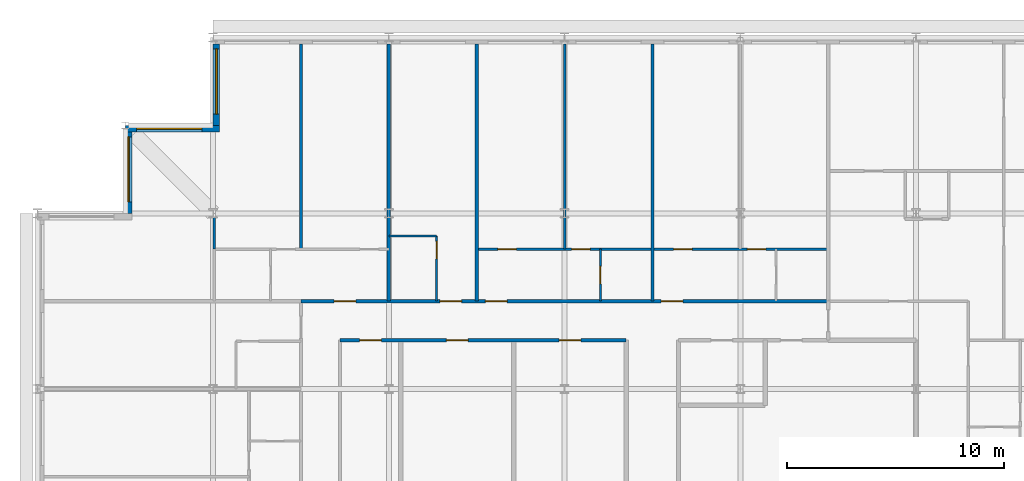
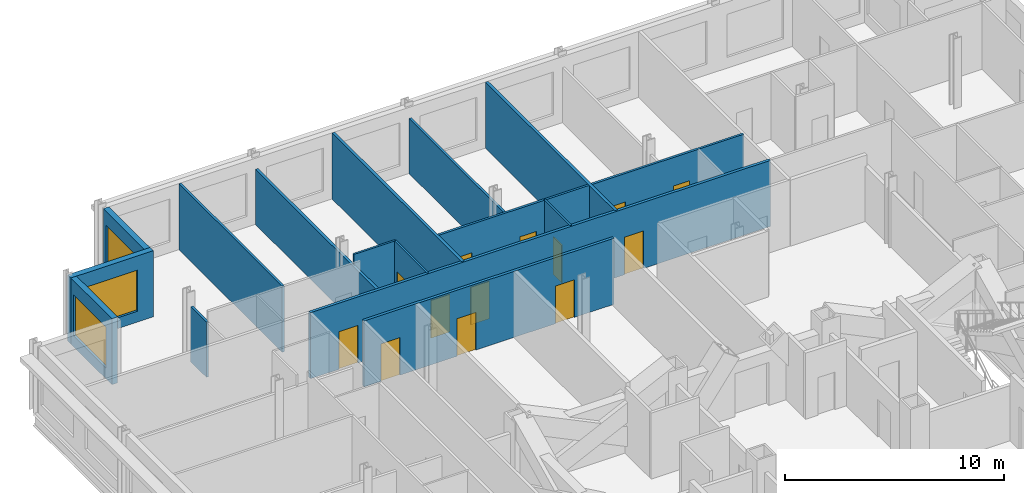
# One storey, part 12 of 15: 15 walls, 13 doors, 3 windows, 16 openings.
"""IFC4 building model written with IfcOpenShell, lengths in metres."""

from ifc_helpers import new_model, si_unit, direction, frame, frame_2d, origin, place, context, subcontext, project, spatial, rectangle, extrude, material, layer, layer_set, type_object, element, fill, save


model = new_model("IFC4")

# Units and contexts
model_context = context("Model", 3, precision=1e-05, world=origin(), true_north=direction((0.0, 1.0)))
body_context = subcontext(model_context, "Body", "Model", "MODEL_VIEW")
ifc_project = project(units=[si_unit("LENGTHUNIT", "METRE"), si_unit("AREAUNIT", "SQUARE_METRE"), si_unit("VOLUMEUNIT", "CUBIC_METRE"), si_unit("PLANEANGLEUNIT", "RADIAN"), si_unit("MASSUNIT", "GRAM", prefix="KILO")], contexts=[model_context])

# Site, building, storey
site_placement = place(None, origin())
site = spatial("IfcSite", under=ifc_project, at=site_placement, CompositionType="ELEMENT")
building_placement = place(site_placement, origin())
building = spatial("IfcBuilding", under=site, at=building_placement, Name="Kopane Lantern Tower", CompositionType="ELEMENT")
storey_placement = place(building_placement, frame((0.0, 0.0, 277.5)))
storey = spatial("IfcBuildingStorey", under=building, at=storey_placement, Name="L71", CompositionType="ELEMENT", Elevation=277.5)

# Wall, openings, doors
ifc_material_1 = material(Name="Gypsum board on steel studs", Category="steel")
ifc_layer_1 = layer(ifc_material_1, 0.1201171875)
ifc_layer_set_1 = layer_set([ifc_layer_1], Name="APARTMENT INTERNAL WALL 120")
wall_type_1 = type_object("IfcWallType", Name="APARTMENT INTERNAL WALL 120", PredefinedType="PARTITIONING", material=ifc_layer_set_1)
wall_1_placement = place(storey_placement, frame((20.25, 55.050048828125, 0.0), z_axis=(0.0, 0.0, 1.0), x_axis=(1.0, 0.0, 0.0)))
wall_1 = element("IfcWall", 1, at=wall_1_placement, inside=storey, type_object=wall_type_1, Name="Apartment Internal Wall 120 L71", PredefinedType="PARTITIONING", context=body_context, shape_type="SweptSolid", body=[
    extrude(rectangle(XDim=16.199951171875, YDim=0.1201171875, at=frame_2d((8.10009765625, 0.0))), origin(), (0.0, 0.0, 1.0), 3.68994140625),
])
opening_1_placement = place(wall_1_placement, frame((0.97509765625, 0.0, 0.0)))
opening_1 = element("IfcOpeningElement", 2, at=opening_1_placement, cuts=wall_1, Name="Opening L71-020", PredefinedType="OPENING", context=body_context, shape_type="SweptSolid", body=[
    extrude(rectangle(XDim=0.85009765625, YDim=2.10009765625, at=frame_2d((0.425048828125, 1.050048828125))), frame((0.0, 0.070068359375, 0.0), z_axis=(0.0, -1.0, 0.0), x_axis=(1.0, 0.0, 0.0)), (0.0, 0.0, 1.0), 0.14013671875),
])
opening_2_placement = place(wall_1_placement, frame((4.375, 0.0, 0.0)))
opening_2 = element("IfcOpeningElement", 3, at=opening_2_placement, cuts=wall_1, Name="Opening L71-021", PredefinedType="OPENING", context=body_context, shape_type="SweptSolid", body=[
    extrude(rectangle(XDim=0.85009765625, YDim=2.10009765625, at=frame_2d((0.425048828125, 1.050048828125))), frame((0.0, 0.070068359375, 0.0), z_axis=(0.0, -1.0, 0.0), x_axis=(1.0, 0.0, 0.0)), (0.0, 0.0, 1.0), 0.14013671875),
])
opening_3_placement = place(wall_1_placement, frame((9.074951171875, 0.0, 0.0)))
opening_3 = element("IfcOpeningElement", 4, at=opening_3_placement, cuts=wall_1, Name="Opening L71-024", PredefinedType="OPENING", context=body_context, shape_type="SweptSolid", body=[
    extrude(rectangle(XDim=0.85009765625, YDim=2.10009765625, at=frame_2d((0.425048828125, 1.050048828125))), frame((0.0, 0.070068359375, 0.0), z_axis=(0.0, -1.0, 0.0), x_axis=(1.0, 0.0, 0.0)), (0.0, 0.0, 1.0), 0.14013671875),
])
opening_4_placement = place(wall_1_placement, frame((12.47509765625, 0.0, 0.0)))
opening_4 = element("IfcOpeningElement", 5, at=opening_4_placement, cuts=wall_1, Name="Opening L71-025", PredefinedType="OPENING", context=body_context, shape_type="SweptSolid", body=[
    extrude(rectangle(XDim=0.85009765625, YDim=2.10009765625, at=frame_2d((0.425048828125, 1.050048828125))), frame((0.0, 0.070068359375, 0.0), z_axis=(0.0, -1.0, 0.0), x_axis=(1.0, 0.0, 0.0)), (0.0, 0.0, 1.0), 0.14013671875),
])
ifc_material_2 = material(Name="Timber door set", Category="wood")
door_type_1 = type_object("IfcDoorType", Name="DOOR D4 850x2100", OperationType="SINGLE_SWING_LEFT", PredefinedType="DOOR", material=ifc_material_2)
door_1_placement = place(opening_1_placement, origin())
door_1 = element("IfcDoor", 6, at=door_1_placement, inside=storey, type_object=door_type_1, Name="Door L71-020", OperationType="SINGLE_SWING_RIGHT", OverallHeight=2.10009765625, OverallWidth=0.85009765625, PredefinedType="DOOR", context=body_context, shape_type="SweptSolid", body=[
    extrude(rectangle(XDim=0.85009765625, YDim=2.10009765625, at=frame_2d((0.425048828125, 1.050048828125))), frame((0.0, 0.02490234375, 0.0), z_axis=(0.0, -1.0, 0.0), x_axis=(1.0, 0.0, 0.0)), (0.0, 0.0, 1.0), 0.050048828125),
])
fill(opening_1, door_1)
door_2_placement = place(opening_2_placement, origin())
door_2 = element("IfcDoor", 7, at=door_2_placement, inside=storey, type_object=door_type_1, Name="Door L71-021", OperationType="SINGLE_SWING_LEFT", OverallHeight=2.10009765625, OverallWidth=0.85009765625, PredefinedType="DOOR", context=body_context, shape_type="SweptSolid", body=[
    extrude(rectangle(XDim=0.85009765625, YDim=2.10009765625, at=frame_2d((0.425048828125, 1.050048828125))), frame((0.0, 0.02490234375, 0.0), z_axis=(0.0, -1.0, 0.0), x_axis=(1.0, 0.0, 0.0)), (0.0, 0.0, 1.0), 0.050048828125),
])
fill(opening_2, door_2)
door_3_placement = place(opening_3_placement, origin())
door_3 = element("IfcDoor", 8, at=door_3_placement, inside=storey, type_object=door_type_1, Name="Door L71-024", OperationType="SINGLE_SWING_RIGHT", OverallHeight=2.10009765625, OverallWidth=0.85009765625, PredefinedType="DOOR", context=body_context, shape_type="SweptSolid", body=[
    extrude(rectangle(XDim=0.85009765625, YDim=2.10009765625, at=frame_2d((0.425048828125, 1.050048828125))), frame((0.0, 0.02490234375, 0.0), z_axis=(0.0, -1.0, 0.0), x_axis=(1.0, 0.0, 0.0)), (0.0, 0.0, 1.0), 0.050048828125),
])
fill(opening_3, door_3)
door_4_placement = place(opening_4_placement, origin())
door_4 = element("IfcDoor", 9, at=door_4_placement, inside=storey, type_object=door_type_1, Name="Door L71-025", OperationType="SINGLE_SWING_LEFT", OverallHeight=2.10009765625, OverallWidth=0.85009765625, PredefinedType="DOOR", context=body_context, shape_type="SweptSolid", body=[
    extrude(rectangle(XDim=0.85009765625, YDim=2.10009765625, at=frame_2d((0.425048828125, 1.050048828125))), frame((0.0, 0.02490234375, 0.0), z_axis=(0.0, -1.0, 0.0), x_axis=(1.0, 0.0, 0.0)), (0.0, 0.0, 1.0), 0.050048828125),
])
fill(opening_4, door_4)

# Walls
wall_2_placement = place(storey_placement, frame((24.300048828125, 55.050048828125, 0.0), z_axis=(0.0, 0.0, 1.0), x_axis=(0.0, 1.0, 0.0)))
element("IfcWall", 10, at=wall_2_placement, inside=storey, type_object=wall_type_1, Name="Apartment Internal Wall 120 L71", PredefinedType="PARTITIONING", context=body_context, shape_type="SweptSolid", body=[
    extrude(rectangle(XDim=9.449951171875, YDim=0.1201171875, at=frame_2d((4.72509765625, 0.0))), origin(), (0.0, 0.0, 1.0), 3.077880859375),
])
wall_3_placement = place(storey_placement, frame((12.14990234375, 55.050048828125, 0.0), z_axis=(0.0, 0.0, 1.0), x_axis=(0.0, 1.0, 0.0)))
element("IfcWall", 11, at=wall_3_placement, inside=storey, type_object=wall_type_1, Name="Apartment Internal Wall 120 L71", PredefinedType="PARTITIONING", context=body_context, shape_type="SweptSolid", body=[
    extrude(rectangle(XDim=9.449951171875, YDim=0.1201171875, at=frame_2d((4.72509765625, 0.0))), origin(), (0.0, 0.0, 1.0), 3.68994140625),
])
wall_4_placement = place(storey_placement, frame((8.14990234375, 55.050048828125, 0.0), z_axis=(0.0, 0.0, 1.0), x_axis=(0.0, 1.0, 0.0)))
element("IfcWall", 12, at=wall_4_placement, inside=storey, type_object=wall_type_1, Name="Apartment Internal Wall 120 L71", PredefinedType="PARTITIONING", context=body_context, shape_type="SweptSolid", body=[
    extrude(rectangle(XDim=1.447021484375, YDim=0.1201171875, at=frame_2d((0.7236328125, 0.0))), origin(), (0.0, 0.0, 1.0), 3.077880859375),
])
ifc_material_3 = material(Name="Moisture-resistant board on steel studs", Category="steel")
ifc_layer_2 = layer(ifc_material_3, 0.10009765625)
ifc_layer_set_2 = layer_set([ifc_layer_2], Name="BATHROOM WALL 100")
wall_type_2 = type_object("IfcWallType", Name="BATHROOM WALL 100", PredefinedType="PARTITIONING", material=ifc_layer_set_2)
wall_5_placement = place(storey_placement, frame((16.199951171875, 55.64990234375, 0.0), z_axis=(0.0, 0.0, 1.0), x_axis=(1.0, 0.0, 0.0)))
element("IfcWall", 13, at=wall_5_placement, inside=storey, type_object=wall_type_2, Name="Bathroom Wall 100 L71", PredefinedType="PARTITIONING", context=body_context, shape_type="SweptSolid", body=[
    extrude(rectangle(XDim=2.199951171875, YDim=0.10009765625, at=frame_2d((1.10009765625, 0.0))), origin(), (0.0, 0.0, 1.0), 3.68994140625),
])

# Wall, opening, door
wall_6_placement = place(storey_placement, frame((18.39990234375, 52.64990234375, 0.0), z_axis=(0.0, 0.0, 1.0), x_axis=(0.0, 1.0, 0.0)))
wall_6 = element("IfcWall", 14, at=wall_6_placement, inside=storey, type_object=wall_type_2, Name="Bathroom Wall 100 L71", PredefinedType="PARTITIONING", context=body_context, shape_type="SweptSolid", body=[
    extrude(rectangle(XDim=3.0, YDim=0.10009765625, at=frame_2d((1.5, 0.0))), origin(), (0.0, 0.0, 1.0), 3.68994140625),
])
opening_5_placement = place(wall_6_placement, frame((1.949951171875, 0.0, 0.0)))
opening_5 = element("IfcOpeningElement", 15, at=opening_5_placement, cuts=wall_6, Name="Opening L71-016", PredefinedType="OPENING", context=body_context, shape_type="SweptSolid", body=[
    extrude(rectangle(XDim=0.800048828125, YDim=2.10009765625, at=frame_2d((0.39990234375, 1.050048828125))), frame((0.0, 0.06005859375, 0.0), z_axis=(0.0, -1.0, 0.0), x_axis=(1.0, 0.0, 0.0)), (0.0, 0.0, 1.0), 0.1201171875),
])
ifc_material_4 = material(Name="Timber door set", Category="wood")
door_type_2 = type_object("IfcDoorType", Name="DOOR D2 800x2100", OperationType="SINGLE_SWING_LEFT", PredefinedType="DOOR", material=ifc_material_4)
door_5_placement = place(opening_5_placement, origin())
door_5 = element("IfcDoor", 16, at=door_5_placement, inside=storey, type_object=door_type_2, Name="Door L71-016", OperationType="SINGLE_SWING_RIGHT", OverallHeight=2.10009765625, OverallWidth=0.800048828125, PredefinedType="DOOR", context=body_context, shape_type="SweptSolid", body=[
    extrude(rectangle(XDim=0.800048828125, YDim=2.10009765625, at=frame_2d((0.39990234375, 1.050048828125))), frame((0.0, 0.02490234375, 0.0), z_axis=(0.0, -1.0, 0.0), x_axis=(1.0, 0.0, 0.0)), (0.0, 0.0, 1.0), 0.050048828125),
])
fill(opening_5, door_5)

wall_7_placement = place(storey_placement, frame((25.949951171875, 52.64990234375, 0.0), z_axis=(0.0, 0.0, 1.0), x_axis=(0.0, 1.0, 0.0)))
wall_7 = element("IfcWall", 17, at=wall_7_placement, inside=storey, type_object=wall_type_2, Name="Bathroom Wall 100 L71", PredefinedType="PARTITIONING", context=body_context, shape_type="SweptSolid", body=[
    extrude(rectangle(XDim=2.400146484375, YDim=0.10009765625, at=frame_2d((1.2001953125, 0.0))), origin(), (0.0, 0.0, 1.0), 3.68994140625),
])
opening_6_placement = place(wall_7_placement, frame((0.800048828125, 0.0, 0.0)))
opening_6 = element("IfcOpeningElement", 18, at=opening_6_placement, cuts=wall_7, Name="Opening L71-018", PredefinedType="OPENING", context=body_context, shape_type="SweptSolid", body=[
    extrude(rectangle(XDim=0.800048828125, YDim=2.10009765625, at=frame_2d((0.39990234375, 1.050048828125))), frame((0.0, 0.06005859375, 0.0), z_axis=(0.0, -1.0, 0.0), x_axis=(1.0, 0.0, 0.0)), (0.0, 0.0, 1.0), 0.1201171875),
])
door_6_placement = place(opening_6_placement, origin())
door_6 = element("IfcDoor", 19, at=door_6_placement, inside=storey, type_object=door_type_2, Name="Door L71-018", OperationType="SINGLE_SWING_RIGHT", OverallHeight=2.10009765625, OverallWidth=0.800048828125, PredefinedType="DOOR", context=body_context, shape_type="SweptSolid", body=[
    extrude(rectangle(XDim=0.800048828125, YDim=2.10009765625, at=frame_2d((0.39990234375, 1.050048828125))), frame((0.0, 0.02490234375, 0.0), z_axis=(0.0, -1.0, 0.0), x_axis=(1.0, 0.0, 0.0)), (0.0, 0.0, 1.0), 0.050048828125),
])
fill(opening_6, door_6)

# Wall, openings, doors
ifc_material_5 = material(Name="Gypsum board on steel studs", Category="steel")
ifc_layer_3 = layer(ifc_material_5, 0.14990234375)
ifc_layer_set_3 = layer_set([ifc_layer_3], Name="CORRIDOR WALL 150 EI 60")
wall_type_3 = type_object("IfcWallType", Name="CORRIDOR WALL 150 EI 60", PredefinedType="PARTITIONING", material=ifc_layer_set_3)
wall_8_placement = place(storey_placement, frame((12.14990234375, 52.64990234375, 0.0), z_axis=(0.0, 0.0, 1.0), x_axis=(1.0, 0.0, 0.0)))
wall_8 = element("IfcWall", 20, at=wall_8_placement, inside=storey, type_object=wall_type_3, Name="Corridor Wall 150 Ei 60 L71", PredefinedType="PARTITIONING", context=body_context, shape_type="SweptSolid", body=[
    extrude(rectangle(XDim=24.300048828125, YDim=0.14990234375, at=frame_2d((12.14990234375, 0.0))), origin(), (0.0, 0.0, 1.0), 3.68994140625),
])
opening_7_placement = place(wall_8_placement, frame((6.39990234375, 0.0, 0.0)))
opening_7 = element("IfcOpeningElement", 21, at=opening_7_placement, cuts=wall_8, Name="Opening L71-017", PredefinedType="OPENING", context=body_context, shape_type="SweptSolid", body=[
    extrude(rectangle(XDim=1.0, YDim=2.10009765625, at=frame_2d((0.5, 1.050048828125))), frame((0.0, 0.0849609375, 0.0), z_axis=(0.0, -1.0, 0.0), x_axis=(1.0, 0.0, 0.0)), (0.0, 0.0, 1.0), 0.169921875),
])
opening_8_placement = place(wall_8_placement, frame((8.5, 0.0, 0.0)))
opening_8 = element("IfcOpeningElement", 22, at=opening_8_placement, cuts=wall_8, Name="Opening L71-019", PredefinedType="OPENING", context=body_context, shape_type="SweptSolid", body=[
    extrude(rectangle(XDim=1.0, YDim=2.10009765625, at=frame_2d((0.5, 1.050048828125))), frame((0.0, 0.0849609375, 0.0), z_axis=(0.0, -1.0, 0.0), x_axis=(1.0, 0.0, 0.0)), (0.0, 0.0, 1.0), 0.169921875),
])
opening_9_placement = place(wall_8_placement, frame((16.60009765625, 0.0, 0.0)))
opening_9 = element("IfcOpeningElement", 23, at=opening_9_placement, cuts=wall_8, Name="Opening L71-023", PredefinedType="OPENING", context=body_context, shape_type="SweptSolid", body=[
    extrude(rectangle(XDim=1.0, YDim=2.10009765625, at=frame_2d((0.5, 1.050048828125))), frame((0.0, 0.0849609375, 0.0), z_axis=(0.0, -1.0, 0.0), x_axis=(1.0, 0.0, 0.0)), (0.0, 0.0, 1.0), 0.169921875),
])
opening_10_placement = place(wall_8_placement, frame((1.52490234375, 0.0, 0.0)))
opening_10 = element("IfcOpeningElement", 24, at=opening_10_placement, cuts=wall_8, Name="Opening L71-041", PredefinedType="OPENING", context=body_context, shape_type="SweptSolid", body=[
    extrude(rectangle(XDim=1.0, YDim=2.10009765625, at=frame_2d((0.5, 1.050048828125))), frame((0.0, 0.0849609375, 0.0), z_axis=(0.0, -1.0, 0.0), x_axis=(1.0, 0.0, 0.0)), (0.0, 0.0, 1.0), 0.169921875),
])
ifc_material_6 = material(Name="Steel door set", Category="steel")
door_type_3 = type_object("IfcDoorType", Name="DOOR D3 1000x2100 FD30S", OperationType="SINGLE_SWING_LEFT", PredefinedType="DOOR", material=ifc_material_6)
door_7_placement = place(opening_7_placement, origin())
door_7 = element("IfcDoor", 25, at=door_7_placement, inside=storey, type_object=door_type_3, Name="Door L71-017", OperationType="SINGLE_SWING_LEFT", OverallHeight=2.10009765625, OverallWidth=1.0, PredefinedType="DOOR", context=body_context, shape_type="SweptSolid", body=[
    extrude(rectangle(XDim=1.0, YDim=2.10009765625, at=frame_2d((0.5, 1.050048828125))), frame((0.0, 0.02490234375, 0.0), z_axis=(0.0, -1.0, 0.0), x_axis=(1.0, 0.0, 0.0)), (0.0, 0.0, 1.0), 0.050048828125),
])
fill(opening_7, door_7)
door_8_placement = place(opening_8_placement, origin())
door_8 = element("IfcDoor", 26, at=door_8_placement, inside=storey, type_object=door_type_3, Name="Door L71-019", OperationType="SINGLE_SWING_LEFT", OverallHeight=2.10009765625, OverallWidth=1.0, PredefinedType="DOOR", context=body_context, shape_type="SweptSolid", body=[
    extrude(rectangle(XDim=1.0, YDim=2.10009765625, at=frame_2d((0.5, 1.050048828125))), frame((0.0, 0.02490234375, 0.0), z_axis=(0.0, -1.0, 0.0), x_axis=(1.0, 0.0, 0.0)), (0.0, 0.0, 1.0), 0.050048828125),
])
fill(opening_8, door_8)
door_9_placement = place(opening_9_placement, origin())
door_9 = element("IfcDoor", 27, at=door_9_placement, inside=storey, type_object=door_type_3, Name="Door L71-023", OperationType="SINGLE_SWING_LEFT", OverallHeight=2.10009765625, OverallWidth=1.0, PredefinedType="DOOR", context=body_context, shape_type="SweptSolid", body=[
    extrude(rectangle(XDim=1.0, YDim=2.10009765625, at=frame_2d((0.5, 1.050048828125))), frame((0.0, 0.02490234375, 0.0), z_axis=(0.0, -1.0, 0.0), x_axis=(1.0, 0.0, 0.0)), (0.0, 0.0, 1.0), 0.050048828125),
])
fill(opening_9, door_9)
door_10_placement = place(opening_10_placement, origin())
door_10 = element("IfcDoor", 28, at=door_10_placement, inside=storey, type_object=door_type_3, Name="Door L71-041", OperationType="SINGLE_SWING_RIGHT", OverallHeight=2.10009765625, OverallWidth=1.0, PredefinedType="DOOR", context=body_context, shape_type="SweptSolid", body=[
    extrude(rectangle(XDim=1.0, YDim=2.10009765625, at=frame_2d((0.5, 1.050048828125))), frame((0.0, 0.02490234375, 0.0), z_axis=(0.0, -1.0, 0.0), x_axis=(1.0, 0.0, 0.0)), (0.0, 0.0, 1.0), 0.050048828125),
])
fill(opening_10, door_10)

wall_9_placement = place(storey_placement, frame((13.949951171875, 50.85009765625, 0.0), z_axis=(0.0, 0.0, 1.0), x_axis=(1.0, 0.0, 0.0)))
wall_9 = element("IfcWall", 29, at=wall_9_placement, inside=storey, type_object=wall_type_3, Name="Corridor Wall 150 Ei 60 L71", PredefinedType="PARTITIONING", context=body_context, shape_type="SweptSolid", body=[
    extrude(rectangle(XDim=13.18994140625, YDim=0.14990234375, at=frame_2d((6.594970703125, 0.0))), origin(), (0.0, 0.0, 1.0), 3.68994140625),
])
opening_11_placement = place(wall_9_placement, frame((0.90087890625, 0.0, 0.0)))
opening_11 = element("IfcOpeningElement", 30, at=opening_11_placement, cuts=wall_9, Name="Opening L71-003", PredefinedType="OPENING", context=body_context, shape_type="SweptSolid", body=[
    extrude(rectangle(XDim=1.0, YDim=2.10009765625, at=frame_2d((0.5, 1.050048828125))), frame((0.0, 0.0849609375, 0.0), z_axis=(0.0, -1.0, 0.0), x_axis=(1.0, 0.0, 0.0)), (0.0, 0.0, 1.0), 0.169921875),
])
opening_12_placement = place(wall_9_placement, frame((4.9013671875, 0.0, 0.0)))
opening_12 = element("IfcOpeningElement", 31, at=opening_12_placement, cuts=wall_9, Name="Opening L71-004", PredefinedType="OPENING", context=body_context, shape_type="SweptSolid", body=[
    extrude(rectangle(XDim=1.0, YDim=2.10009765625, at=frame_2d((0.5, 1.050048828125))), frame((0.0, 0.0849609375, 0.0), z_axis=(0.0, -1.0, 0.0), x_axis=(1.0, 0.0, 0.0)), (0.0, 0.0, 1.0), 0.169921875),
])
opening_13_placement = place(wall_9_placement, frame((10.1005859375, 0.0, 0.0)))
opening_13 = element("IfcOpeningElement", 32, at=opening_13_placement, cuts=wall_9, Name="Opening L71-005", PredefinedType="OPENING", context=body_context, shape_type="SweptSolid", body=[
    extrude(rectangle(XDim=1.0, YDim=2.10009765625, at=frame_2d((0.5, 1.050048828125))), frame((0.0, 0.0849609375, 0.0), z_axis=(0.0, -1.0, 0.0), x_axis=(1.0, 0.0, 0.0)), (0.0, 0.0, 1.0), 0.169921875),
])
ifc_material_7 = material(Name="Steel door set", Category="steel")
door_type_4 = type_object("IfcDoorType", Name="DOOR D5 1000x2100 FD60", OperationType="SINGLE_SWING_LEFT", PredefinedType="DOOR", material=ifc_material_7)
door_11_placement = place(opening_11_placement, origin())
door_11 = element("IfcDoor", 33, at=door_11_placement, inside=storey, type_object=door_type_4, Name="Door L71-003", OperationType="SINGLE_SWING_RIGHT", OverallHeight=2.10009765625, OverallWidth=1.0, PredefinedType="DOOR", context=body_context, shape_type="SweptSolid", body=[
    extrude(rectangle(XDim=1.0, YDim=2.10009765625, at=frame_2d((0.5, 1.050048828125))), frame((0.0, 0.02490234375, 0.0), z_axis=(0.0, -1.0, 0.0), x_axis=(1.0, 0.0, 0.0)), (0.0, 0.0, 1.0), 0.050048828125),
])
fill(opening_11, door_11)
door_12_placement = place(opening_12_placement, origin())
door_12 = element("IfcDoor", 34, at=door_12_placement, inside=storey, type_object=door_type_4, Name="Door L71-004", OperationType="SINGLE_SWING_LEFT", OverallHeight=2.10009765625, OverallWidth=1.0, PredefinedType="DOOR", context=body_context, shape_type="SweptSolid", body=[
    extrude(rectangle(XDim=1.0, YDim=2.10009765625, at=frame_2d((0.5, 1.050048828125))), frame((0.0, 0.02490234375, 0.0), z_axis=(0.0, -1.0, 0.0), x_axis=(1.0, 0.0, 0.0)), (0.0, 0.0, 1.0), 0.050048828125),
])
fill(opening_12, door_12)
door_13_placement = place(opening_13_placement, origin())
door_13 = element("IfcDoor", 35, at=door_13_placement, inside=storey, type_object=door_type_4, Name="Door L71-005", OperationType="SINGLE_SWING_RIGHT", OverallHeight=2.10009765625, OverallWidth=1.0, PredefinedType="DOOR", context=body_context, shape_type="SweptSolid", body=[
    extrude(rectangle(XDim=1.0, YDim=2.10009765625, at=frame_2d((0.5, 1.050048828125))), frame((0.0, 0.02490234375, 0.0), z_axis=(0.0, -1.0, 0.0), x_axis=(1.0, 0.0, 0.0)), (0.0, 0.0, 1.0), 0.050048828125),
])
fill(opening_13, door_13)

# Walls
ifc_material_8 = material(Name="Gypsum board on steel studs", Category="steel")
ifc_layer_4 = layer(ifc_material_8, 0.14990234375)
ifc_layer_set_4 = layer_set([ifc_layer_4], Name="DEMISING WALL 150 EI 60")
wall_type_4 = type_object("IfcWallType", Name="DEMISING WALL 150 EI 60", PredefinedType="PARTITIONING", material=ifc_layer_set_4)
for number, where, z_axis, x_axis, name in (
    (36, (20.25, 52.64990234375, 0.0), (0.0, 0.0, 1.0), (0.0, 1.0, 0.0), "Demising Wall 150 Ei 60 L71"),
    (37, (28.35009765625, 52.64990234375, 0.0), (0.0, 0.0, 1.0), (0.0, 1.0, 0.0), "Demising Wall 150 Ei 60 L71"),
):
    element("IfcWall", number, at=place(storey_placement, frame(where, z_axis=z_axis, x_axis=x_axis)), inside=storey, type_object=wall_type_4, Name=name, PredefinedType="PARTITIONING", context=body_context, shape_type="SweptSolid", body=[
        extrude(rectangle(XDim=11.85009765625, YDim=0.14990234375, at=frame_2d((5.925048828125, 0.0))), origin(), (0.0, 0.0, 1.0), 3.68994140625),
    ])
wall_10_placement = place(storey_placement, frame((16.199951171875, 52.64990234375, 0.0), z_axis=(0.0, 0.0, 1.0), x_axis=(0.0, 1.0, 0.0)))
element("IfcWall", 38, at=wall_10_placement, inside=storey, type_object=wall_type_4, Name="Demising Wall 150 Ei 60 L71", PredefinedType="PARTITIONING", context=body_context, shape_type="SweptSolid", body=[
    extrude(rectangle(XDim=11.85009765625, YDim=0.14990234375, at=frame_2d((5.925048828125, 0.0))), origin(), (0.0, 0.0, 1.0), 3.077880859375),
])

# Wall, opening, window
ifc_material_9 = material(Name="Terracotta rainscreen on light steel framing", Category="masonry")
ifc_layer_5 = layer(ifc_material_9, 0.300048828125)
ifc_layer_set_5 = layer_set([ifc_layer_5], Name="EXTERNAL WALL EW1 300 TERRACOTTA")
wall_type_5 = type_object("IfcWallType", Name="EXTERNAL WALL EW1 300 TERRACOTTA", PredefinedType="SOLIDWALL", material=ifc_layer_set_5)
wall_11_placement = place(storey_placement, frame((8.25, 64.5, 0.0), z_axis=(0.0, 0.0, 1.0), x_axis=(0.0, -1.0, 0.0)))
wall_11 = element("IfcWall", 39, at=wall_11_placement, inside=storey, type_object=wall_type_5, Name="External wall W L71", PredefinedType="SOLIDWALL", context=body_context, shape_type="SweptSolid", body=[
    extrude(rectangle(XDim=3.75, YDim=0.300048828125, at=frame_2d((1.875, 0.0))), origin(), (0.0, 0.0, 1.0), 3.68994140625),
])
opening_14_placement = place(wall_11_placement, frame((0.22509765625, 0.0, 0.60009765625)))
opening_14 = element("IfcOpeningElement", 40, at=opening_14_placement, cuts=wall_11, Name="Opening WR300230", PredefinedType="OPENING", context=body_context, shape_type="SweptSolid", body=[
    extrude(rectangle(XDim=3.0, YDim=2.300048828125, at=frame_2d((1.5, 1.14990234375))), frame((0.0, 0.159912109375, 0.0), z_axis=(0.0, -1.0, 0.0), x_axis=(1.0, 0.0, 0.0)), (0.0, 0.0, 1.0), 0.320068359375),
])
ifc_material_10 = material(Name="Aluminium and clear glass", Category="aluminium")
window_type = type_object("IfcWindowType", Name="RIBBON WINDOW WR300230 3000x2300", PartitioningType="SINGLE_PANEL", PredefinedType="WINDOW", material=ifc_material_10)
window_1_placement = place(opening_14_placement, origin())
window_1 = element("IfcWindow", 41, at=window_1_placement, inside=storey, type_object=window_type, Name="Window W L71", OverallHeight=2.300048828125, OverallWidth=3.0, PartitioningType="SINGLE_PANEL", PredefinedType="WINDOW", context=body_context, shape_type="SweptSolid", body=[
    extrude(rectangle(XDim=3.0, YDim=2.300048828125, at=frame_2d((1.5, 1.14990234375))), frame((0.0, 0.030029296875, 0.0), z_axis=(0.0, -1.0, 0.0), x_axis=(1.0, 0.0, 0.0)), (0.0, 0.0, 1.0), 0.06005859375),
])
fill(opening_14, window_1)

wall_12_placement = place(storey_placement, frame((8.39990234375, 60.60009765625, 0.0), z_axis=(0.0, 0.0, 1.0), x_axis=(-1.0, 0.0, 0.0)))
wall_12 = element("IfcWall", 42, at=wall_12_placement, inside=storey, type_object=wall_type_5, Name="External wall N L71", PredefinedType="SOLIDWALL", context=body_context, shape_type="SweptSolid", body=[
    extrude(rectangle(XDim=4.349853515625, YDim=0.300048828125, at=frame_2d((2.1748046875, 0.0))), origin(), (0.0, 0.0, 1.0), 3.68994140625),
])
opening_15_placement = place(wall_12_placement, frame((0.824951171875, 0.0, 0.60009765625)))
opening_15 = element("IfcOpeningElement", 43, at=opening_15_placement, cuts=wall_12, Name="Opening WR300230", PredefinedType="OPENING", context=body_context, shape_type="SweptSolid", body=[
    extrude(rectangle(XDim=3.0, YDim=2.300048828125, at=frame_2d((1.5, 1.14990234375))), frame((0.0, 0.159912109375, 0.0), z_axis=(0.0, -1.0, 0.0), x_axis=(1.0, 0.0, 0.0)), (0.0, 0.0, 1.0), 0.320068359375),
])
window_2_placement = place(opening_15_placement, origin())
window_2 = element("IfcWindow", 44, at=window_2_placement, inside=storey, type_object=window_type, Name="Window N L71", OverallHeight=2.300048828125, OverallWidth=3.0, PartitioningType="SINGLE_PANEL", PredefinedType="WINDOW", context=body_context, shape_type="SweptSolid", body=[
    extrude(rectangle(XDim=3.0, YDim=2.300048828125, at=frame_2d((1.5, 1.14990234375))), frame((0.0, 0.030029296875, 0.0), z_axis=(0.0, -1.0, 0.0), x_axis=(1.0, 0.0, 0.0)), (0.0, 0.0, 1.0), 0.06005859375),
])
fill(opening_15, window_2)

wall_13_placement = place(storey_placement, frame((4.199951171875, 60.449951171875, 0.0), z_axis=(0.0, 0.0, 1.0), x_axis=(0.0, -1.0, 0.0)))
wall_13 = element("IfcWall", 45, at=wall_13_placement, inside=storey, type_object=wall_type_5, Name="External wall W L71", PredefinedType="SOLIDWALL", context=body_context, shape_type="SweptSolid", body=[
    extrude(rectangle(XDim=3.75, YDim=0.300048828125, at=frame_2d((1.875, 0.0))), origin(), (0.0, 0.0, 1.0), 3.68994140625),
])
opening_16_placement = place(wall_13_placement, frame((0.22509765625, 0.0, 0.60009765625)))
opening_16 = element("IfcOpeningElement", 46, at=opening_16_placement, cuts=wall_13, Name="Opening WR300230", PredefinedType="OPENING", context=body_context, shape_type="SweptSolid", body=[
    extrude(rectangle(XDim=3.0, YDim=2.300048828125, at=frame_2d((1.5, 1.14990234375))), frame((0.0, 0.159912109375, 0.0), z_axis=(0.0, -1.0, 0.0), x_axis=(1.0, 0.0, 0.0)), (0.0, 0.0, 1.0), 0.320068359375),
])
window_3_placement = place(opening_16_placement, origin())
window_3 = element("IfcWindow", 47, at=window_3_placement, inside=storey, type_object=window_type, Name="Window W L71", OverallHeight=2.300048828125, OverallWidth=3.0, PartitioningType="SINGLE_PANEL", PredefinedType="WINDOW", context=body_context, shape_type="SweptSolid", body=[
    extrude(rectangle(XDim=3.0, YDim=2.300048828125, at=frame_2d((1.5, 1.14990234375))), frame((0.0, 0.030029296875, 0.0), z_axis=(0.0, -1.0, 0.0), x_axis=(1.0, 0.0, 0.0)), (0.0, 0.0, 1.0), 0.06005859375),
])
fill(opening_16, window_3)

save(model, "model.ifc")
